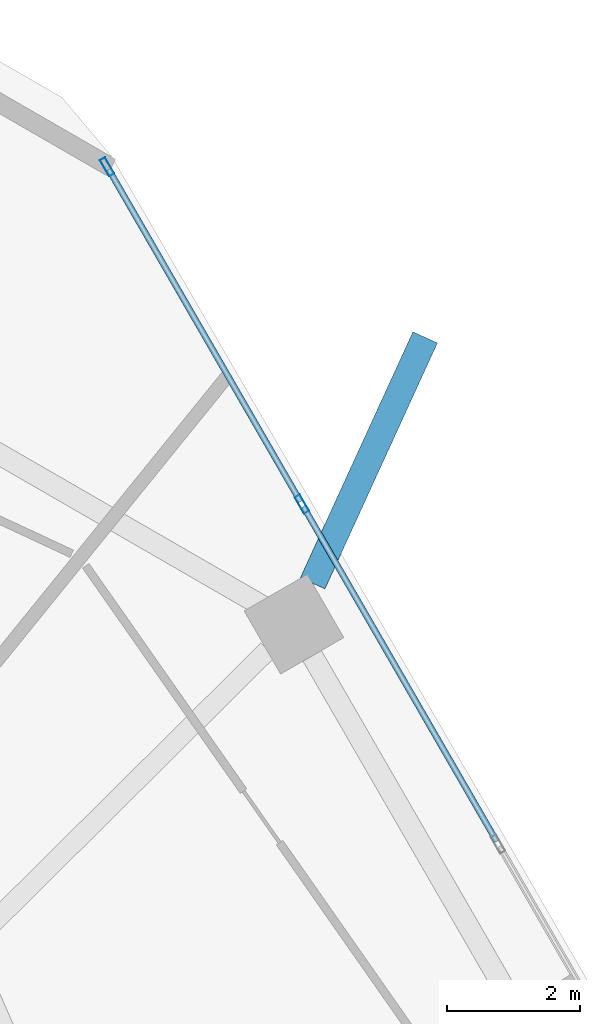
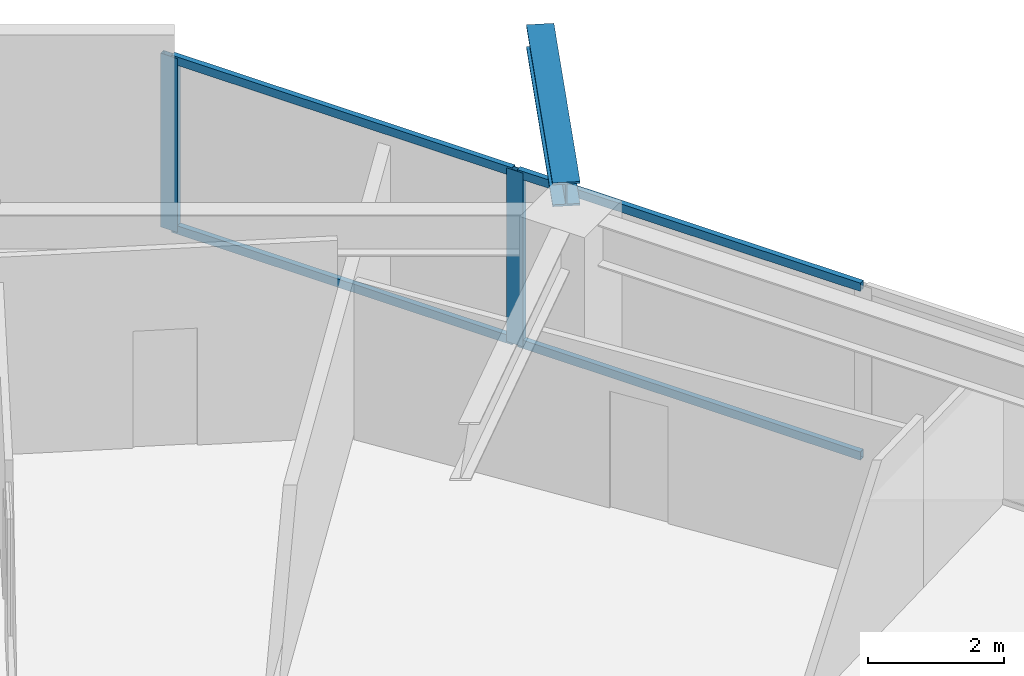
# One storey, part 21 of 33: 6 members, 1 beam, 1 element without a shape of its own.
"""IFC4 building model written with IfcOpenShell, lengths in metres."""

from ifc_helpers import new_model, si_unit, direction, frame, origin, origin_2d, place, context, subcontext, project, spatial, hollow_rectangle, i_section, extrude, material, material_profile, profile_set, type_object, element, aggregate, save


model = new_model("IFC4")

# Units and contexts
model_context = context("Model", 3, precision=1e-05, world=origin(), true_north=direction((0.0, 1.0)))
body_context = subcontext(model_context, "Body", "Model", "MODEL_VIEW")
ifc_project = project(units=[si_unit("LENGTHUNIT", "METRE"), si_unit("AREAUNIT", "SQUARE_METRE"), si_unit("VOLUMEUNIT", "CUBIC_METRE"), si_unit("PLANEANGLEUNIT", "RADIAN"), si_unit("MASSUNIT", "GRAM", prefix="KILO")], contexts=[model_context])

# Site, building, storey
site_placement = place(None, origin())
site = spatial("IfcSite", under=ifc_project, at=site_placement, CompositionType="ELEMENT")
building_placement = place(site_placement, origin())
building = spatial("IfcBuilding", under=site, at=building_placement, Name="Zuhravey Tower", CompositionType="ELEMENT")
storey_placement = place(building_placement, frame((0.0, 0.0, 103.800048828125)))
storey = spatial("IfcBuildingStorey", under=building, at=storey_placement, Name="L25", CompositionType="ELEMENT", Elevation=103.800048828125)

# Curtain wall, members
ifc_material_1 = material(Name="Thermally broken anodised aluminium", Category="aluminium")
curtain_wall_type = type_object("IfcCurtainWallType", Name="Zone 1-2 Residential Curtain Wall CW3", PredefinedType="NOTDEFINED", material=ifc_material_1)
curtain_wall_placement = place(storey_placement, origin())
curtain_wall = element("IfcCurtainWall", 1, at=curtain_wall_placement, inside=storey, type_object=curtain_wall_type, Name="L25 CW3 CW-L25-F1-1", PredefinedType="NOTDEFINED")
ifc_material_2 = material(Name="Anodised aluminium", Category="aluminium")
ifc_material_profile_1 = material_profile(ifc_material_2, hollow_rectangle(XDim=0.090087890625, YDim=0.284912109375, WallThickness=0.0048828125, at=origin_2d()), Name="ALU-RHS-90x285x5")
ifc_profile_set_1 = profile_set([ifc_material_profile_1], Name="Anodised aluminium")
member_type_1 = type_object("IfcMemberType", Name="Curtain-Wall Mullion 90x180", PredefinedType="MULLION", material=ifc_profile_set_1)
member_1_placement = place(storey_placement, frame((53.701416015625, 59.257080078125, 0.0), z_axis=(0.0, 0.0, 1.0), x_axis=(0.86602552265, 0.499999794119, 0.0)))
member_1 = element("IfcMember", 2, at=member_1_placement, type_object=member_type_1, Name="CW3 mullion 1", PredefinedType="MULLION", context=body_context, shape_type="SweptSolid", body=[
    extrude(hollow_rectangle(XDim=0.090087890625, YDim=0.284912109375, WallThickness=0.0048828125, at=origin_2d()), origin(), (0.0, 0.0, 1.0), 3.1220703125),
])
member_2_placement = place(storey_placement, frame((56.638916015625, 54.169189453125, 0.0), z_axis=(0.0, 0.0, 1.0), x_axis=(0.86602552265, 0.499999794119, 0.0)))
member_2 = element("IfcMember", 3, at=member_2_placement, type_object=member_type_1, Name="CW3 mullion 2", PredefinedType="MULLION", context=body_context, shape_type="SweptSolid", body=[
    extrude(hollow_rectangle(XDim=0.090087890625, YDim=0.284912109375, WallThickness=0.0048828125, at=origin_2d()), origin(), (0.0, 0.0, 1.0), 3.1220703125),
])
ifc_material_profile_2 = material_profile(ifc_material_2, hollow_rectangle(XDim=0.090087890625, YDim=0.14990234375, WallThickness=0.0048828125, at=origin_2d()), Name="ALU-RHS-90x150x5")
ifc_profile_set_2 = profile_set([ifc_material_profile_2], Name="Anodised aluminium")
member_type_2 = type_object("IfcMemberType", Name="Curtain-Wall Transom 90x150", PredefinedType="USERDEFINED", material=ifc_profile_set_2)
member_3_placement = place(storey_placement, frame((53.72412109375, 59.218017578125, 0.044921875), z_axis=(0.499992798144, -0.866029561738, 0.0), x_axis=(0.866029561738, 0.499992798144, 0.0)))
member_3 = element("IfcMember", 4, at=member_3_placement, type_object=member_type_2, Name="CW3 transom 1.1", ObjectType="TRANSOM", PredefinedType="USERDEFINED", context=body_context, shape_type="SweptSolid", body=[
    extrude(hollow_rectangle(XDim=0.090087890625, YDim=0.14990234375, WallThickness=0.0048828125, at=origin_2d()), origin(), (0.0, 0.0, 1.0), 5.78466796875),
])
member_4_placement = place(storey_placement, frame((53.72412109375, 59.218017578125, 3.076904296875), z_axis=(0.499992798144, -0.866029561738, 0.0), x_axis=(0.866029561738, 0.499992798144, 0.0)))
member_4 = element("IfcMember", 5, at=member_4_placement, type_object=member_type_2, Name="CW3 transom 1.2", ObjectType="TRANSOM", PredefinedType="USERDEFINED", context=body_context, shape_type="SweptSolid", body=[
    extrude(hollow_rectangle(XDim=0.090087890625, YDim=0.14990234375, WallThickness=0.0048828125, at=origin_2d()), origin(), (0.0, 0.0, 1.0), 5.78466796875),
])
member_5_placement = place(storey_placement, frame((56.661376953125, 54.13037109375, 0.044921875), z_axis=(0.500012451049, -0.866018215049, 0.0), x_axis=(0.866018215049, 0.500012451049, 0.0)))
member_5 = element("IfcMember", 6, at=member_5_placement, type_object=member_type_2, Name="CW3 transom 2.1", ObjectType="TRANSOM", PredefinedType="USERDEFINED", context=body_context, shape_type="SweptSolid", body=[
    extrude(hollow_rectangle(XDim=0.090087890625, YDim=0.14990234375, WallThickness=0.0048828125, at=origin_2d()), origin(), (0.0, 0.0, 1.0), 5.829833984375),
])
member_6_placement = place(storey_placement, frame((56.661376953125, 54.13037109375, 3.076904296875), z_axis=(0.500012451049, -0.866018215049, 0.0), x_axis=(0.866018215049, 0.500012451049, 0.0)))
member_6 = element("IfcMember", 7, at=member_6_placement, type_object=member_type_2, Name="CW3 transom 2.2", ObjectType="TRANSOM", PredefinedType="USERDEFINED", context=body_context, shape_type="SweptSolid", body=[
    extrude(hollow_rectangle(XDim=0.090087890625, YDim=0.14990234375, WallThickness=0.0048828125, at=origin_2d()), origin(), (0.0, 0.0, 1.0), 5.829833984375),
])
aggregate(curtain_wall, [member_1, member_2, member_3, member_4, member_5, member_6])

# Beam
ifc_material_3 = material(Name="Steel SM460", Category="steel")
ifc_material_profile_3 = material_profile(ifc_material_3, i_section(OverallWidth=0.406982421875, OverallDepth=0.427978515625, WebThickness=0.02001953125, FlangeThickness=0.034912109375, at=origin_2d()), Name="H-428x407x20x35")
ifc_profile_set_3 = profile_set([ifc_material_profile_3], Name="Steel SM460")
beam_type = type_object("IfcBeamType", Name="Exoskeleton Node Tie Beam H428x407", PredefinedType="BEAM", material=ifc_profile_set_3)
beam_placement = place(storey_placement, frame((56.80126953125, 52.974365234375, 3.3359375), z_axis=(0.415970473335, 0.909378120098, 0.0), x_axis=(-0.909378120098, 0.415970473335, 0.0)))
element("IfcBeam", 8, at=beam_placement, inside=storey, type_object=beam_type, Name="L25 Exoskeleton Node Tie NT1-02", PredefinedType="BEAM", context=body_context, shape_type="SweptSolid", body=[
    extrude(i_section(OverallWidth=0.406982421875, OverallDepth=0.427978515625, WebThickness=0.02001953125, FlangeThickness=0.034912109375, at=origin_2d()), origin(), (0.0, 0.0, 1.0), 4.07958984375),
])

save(model, "model.ifc")
